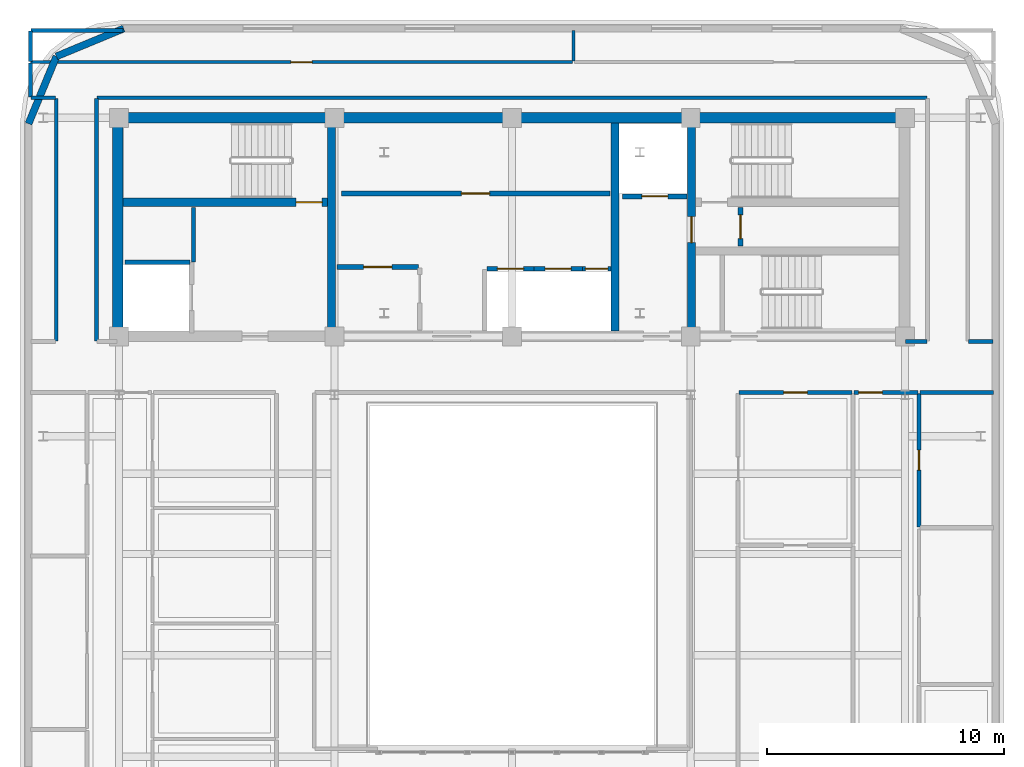
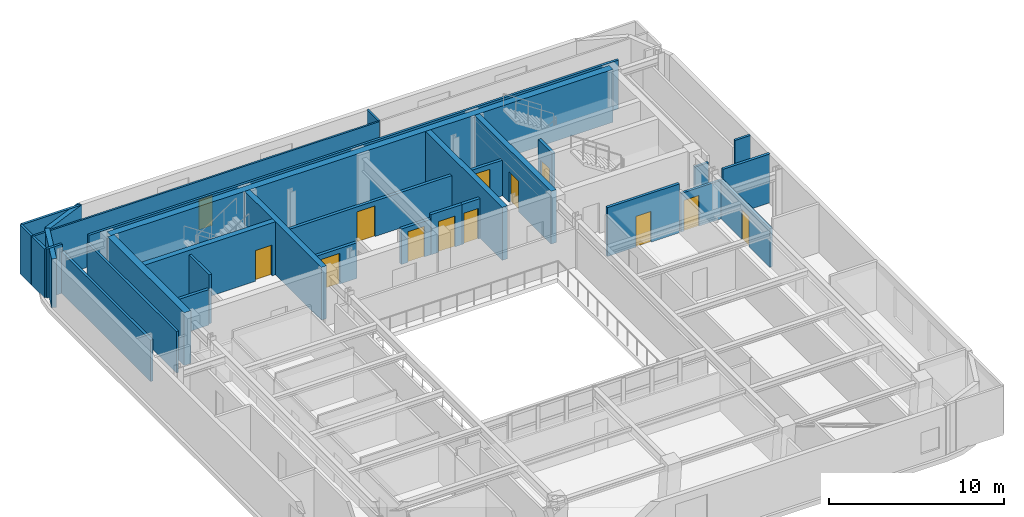
# One storey, part 8 of 12: 32 walls, 13 doors, 13 openings.
"""IFC4 building model written with IfcOpenShell, lengths in metres."""

from ifc_helpers import new_model, si_unit, direction, frame, frame_2d, origin, place, context, subcontext, project, spatial, rectangle, extrude, material, layer, layer_set, type_object, element, fill, save


model = new_model("IFC4")

# Units and contexts
model_context = context("Model", 3, precision=1e-05, world=origin(), true_north=direction((0.0, 1.0)))
body_context = subcontext(model_context, "Body", "Model", "MODEL_VIEW")
ifc_project = project(units=[si_unit("LENGTHUNIT", "METRE"), si_unit("AREAUNIT", "SQUARE_METRE"), si_unit("VOLUMEUNIT", "CUBIC_METRE"), si_unit("PLANEANGLEUNIT", "RADIAN"), si_unit("MASSUNIT", "GRAM", prefix="KILO")], contexts=[model_context])

# Site, building, storey
site_placement = place(None, origin())
site = spatial("IfcSite", under=ifc_project, at=site_placement, CompositionType="ELEMENT")
building_placement = place(site_placement, origin())
building = spatial("IfcBuilding", under=site, at=building_placement, Name="Zarnavel Station Tower", CompositionType="ELEMENT")
storey_placement = place(building_placement, frame((0.0, 0.0, 269.5)))
storey = spatial("IfcBuildingStorey", under=building, at=storey_placement, Name="L73", CompositionType="ELEMENT", Elevation=269.5)

# Walls
ifc_material_1 = material(Name="Concrete C50/60", Category="concrete")
ifc_layer_1 = layer(ifc_material_1, 0.35009765625)
ifc_layer_set_1 = layer_set([ifc_layer_1], Name="CW_350")
wall_type_1 = type_object("IfcWallType", Name="CW_350", PredefinedType="SHEAR", material=ifc_layer_set_1)
for number, where, z_axis, x_axis, name in (
    (1, (21.179931640625, 28.044921875, 0.0), (0.0, 0.0, 1.0), (0.0, 1.0, 0.0), "L73 Rear Core Shear Wall DIV-W"),
    (2, (33.14990234375, 28.044921875, 0.0), (0.0, 0.0, 1.0), (0.0, 1.0, 0.0), "L73 Rear Core Shear Wall DIV-E"),
):
    element("IfcWall", number, at=place(storey_placement, frame(where, z_axis=z_axis, x_axis=x_axis)), inside=storey, type_object=wall_type_1, Name=name, PredefinedType="SHEAR", context=body_context, shape_type="SweptSolid", body=[
        extrude(rectangle(XDim=8.780029296875, YDim=0.35009765625, at=frame_2d((4.39013671875, 0.0))), origin(), (0.0, 0.0, 1.0), 3.699951171875),
    ])

# Wall, opening, door
wall_1_placement = place(storey_placement, frame((36.3798828125, 28.044921875, 0.0), z_axis=(0.0, 0.0, 1.0), x_axis=(0.0, 1.0, 0.0)))
wall_1 = element("IfcWall", 3, at=wall_1_placement, inside=storey, type_object=wall_type_1, Name="L73 Rear Core Shear Wall DIV-S2", PredefinedType="SHEAR", context=body_context, shape_type="SweptSolid", body=[
    extrude(rectangle(XDim=8.780029296875, YDim=0.35009765625, at=frame_2d((4.39013671875, 0.0))), origin(), (0.0, 0.0, 1.0), 3.699951171875),
])
opening_1_placement = place(wall_1_placement, frame((3.735107421875, 0.0, 0.0)))
opening_1 = element("IfcOpeningElement", 4, at=opening_1_placement, cuts=wall_1, Name="Opening FD01", PredefinedType="OPENING", context=body_context, shape_type="SweptSolid", body=[
    extrude(rectangle(XDim=1.10009765625, YDim=2.14990234375, at=frame_2d((0.550048828125, 1.074951171875))), frame((0.0, 0.18505859375, 0.0), z_axis=(0.0, -1.0, 0.0), x_axis=(1.0, 0.0, 0.0)), (0.0, 0.0, 1.0), 0.3701171875),
])
ifc_material_2 = material(Name="Painted Galvanised Steel and Hardwood Leaf", Category="steel")
door_type_1 = type_object("IfcDoorType", Name="ID_STAIR_1100", OperationType="NOTDEFINED", PredefinedType="DOOR", material=ifc_material_2)
door_1_placement = place(opening_1_placement, origin())
door_1 = element("IfcDoor", 5, at=door_1_placement, inside=storey, type_object=door_type_1, Name="L73 East Stair Vestibule Fire Door", OperationType="SINGLE_SWING_LEFT", OverallHeight=2.14990234375, OverallWidth=1.10009765625, PredefinedType="DOOR", context=body_context, shape_type="SweptSolid", body=[
    extrude(rectangle(XDim=1.10009765625, YDim=2.14990234375, at=frame_2d((0.550048828125, 1.074951171875))), frame((0.0, 0.02490234375, 0.0), z_axis=(0.0, -1.0, 0.0), x_axis=(1.0, 0.0, 0.0)), (0.0, 0.0, 1.0), 0.050048828125),
])
fill(opening_1, door_1)

wall_2_placement = place(storey_placement, frame((21.0048828125, 33.47998046875, 0.0), z_axis=(0.0, 0.0, 1.0), x_axis=(-1.0, 0.0, 0.0)))
wall_2 = element("IfcWall", 6, at=wall_2_placement, inside=storey, type_object=wall_type_1, Name="L73 Rear Core Shear Wall DIV-H1", PredefinedType="SHEAR", context=body_context, shape_type="SweptSolid", body=[
    extrude(rectangle(XDim=8.6298828125, YDim=0.35009765625, at=frame_2d((4.31494140625, 0.0))), origin(), (0.0, 0.0, 1.0), 3.699951171875),
])
opening_2_placement = place(wall_2_placement, frame((0.219970703125, 0.0, 0.0)))
opening_2 = element("IfcOpeningElement", 7, at=opening_2_placement, cuts=wall_2, Name="Opening FD01", PredefinedType="OPENING", context=body_context, shape_type="SweptSolid", body=[
    extrude(rectangle(XDim=1.10009765625, YDim=2.14990234375, at=frame_2d((0.550048828125, 1.074951171875))), frame((0.0, 0.18505859375, 0.0), z_axis=(0.0, -1.0, 0.0), x_axis=(1.0, 0.0, 0.0)), (0.0, 0.0, 1.0), 0.3701171875),
])
door_2_placement = place(opening_2_placement, origin())
door_2 = element("IfcDoor", 8, at=door_2_placement, inside=storey, type_object=door_type_1, Name="L73 Stair ST1 Lobby Fire Door", OperationType="SINGLE_SWING_LEFT", OverallHeight=2.14990234375, OverallWidth=1.10009765625, PredefinedType="DOOR", context=body_context, shape_type="SweptSolid", body=[
    extrude(rectangle(XDim=1.10009765625, YDim=2.14990234375, at=frame_2d((0.550048828125, 1.074951171875))), frame((0.0, 0.02490234375, 0.0), z_axis=(0.0, -1.0, 0.0), x_axis=(1.0, 0.0, 0.0)), (0.0, 0.0, 1.0), 0.050048828125),
])
fill(opening_2, door_2)

# Walls
ifc_material_3 = material(Name="Concrete C50/60", Category="concrete")
ifc_layer_2 = layer(ifc_material_3, 0.449951171875)
ifc_layer_set_2 = layer_set([ifc_layer_2], Name="CW_450")
wall_type_2 = type_object("IfcWallType", Name="CW_450", PredefinedType="SHEAR", material=ifc_layer_set_2)
wall_3_placement = place(storey_placement, frame((12.14990234375, 37.050048828125, 0.0), z_axis=(0.0, 0.0, 1.0), x_axis=(1.0, 0.0, 0.0)))
element("IfcWall", 9, at=wall_3_placement, inside=storey, type_object=wall_type_2, Name="L73 Rear Core Shear Wall N", PredefinedType="SHEAR", context=body_context, shape_type="SweptSolid", body=[
    extrude(rectangle(XDim=33.22998046875, YDim=0.449951171875, at=frame_2d((16.614990234375, 0.0))), origin(), (0.0, 0.0, 1.0), 3.699951171875),
])
wall_4_placement = place(storey_placement, frame((12.14990234375, 28.044921875, 0.0), z_axis=(0.0, 0.0, 1.0), x_axis=(0.0, 1.0, 0.0)))
element("IfcWall", 10, at=wall_4_placement, inside=storey, type_object=wall_type_2, Name="L73 Rear Core Shear Wall W", PredefinedType="SHEAR", context=body_context, shape_type="SweptSolid", body=[
    extrude(rectangle(XDim=8.780029296875, YDim=0.449951171875, at=frame_2d((4.39013671875, 0.0))), origin(), (0.0, 0.0, 1.0), 3.699951171875),
])
ifc_material_4 = material(Name="Precast concrete C45/55 (Dark Basalt Finish)", Category="masonry")
ifc_layer_3 = layer(ifc_material_4, 0.300048828125)
ifc_layer_set_3 = layer_set([ifc_layer_3], Name="EW_BASALT_300")
wall_type_3 = type_object("IfcWallType", Name="EW_BASALT_300", PredefinedType="SOLIDWALL", material=ifc_layer_set_3)
for number, where, z_axis, x_axis, name in (
    (11, (9.557373046875, 39.642578125, 0.0), (0.0, 0.0, 1.0), (0.923870793506, 0.382704529509, 0.0), "L73 Exterior Basalt Masonry Frame Wall 07"),
    (12, (8.3798828125, 36.800048828125, 0.0), (0.0, 0.0, 1.0), (0.382704529509, 0.923870793506, 0.0), "L73 Exterior Basalt Masonry Frame Wall 08"),
):
    element("IfcWall", number, at=place(storey_placement, frame(where, z_axis=z_axis, x_axis=x_axis)), inside=storey, type_object=wall_type_3, Name=name, PredefinedType="SOLIDWALL", context=body_context, shape_type="SweptSolid", body=[
        extrude(rectangle(XDim=3.07666015625, YDim=0.300048828125, at=frame_2d((1.538330078125, 0.0))), origin(), (0.0, 0.0, 1.0), 3.419921875),
    ])

# Wall, opening, door
ifc_material_5 = material(Name="Gypsum Twin-Stud Acoustic Fire Partition", Category="concrete")
ifc_layer_4 = layer(ifc_material_5, 0.159912109375)
ifc_layer_set_4 = layer_set([ifc_layer_4], Name="PT_DEMISE_160")
wall_type_4 = type_object("IfcWallType", Name="PT_DEMISE_160", PredefinedType="PARTITIONING", material=ifc_layer_set_4)
wall_5_placement = place(storey_placement, frame((43.239990234375, 25.449951171875, 0.0), z_axis=(0.0, 0.0, 1.0), x_axis=(1.0, 0.0, 0.0)))
wall_5 = element("IfcWall", 13, at=wall_5_placement, inside=storey, type_object=wall_type_4, Name="L73 Partition COR-S-UE1LV", PredefinedType="PARTITIONING", context=body_context, shape_type="SweptSolid", body=[
    extrude(rectangle(XDim=2.7119140625, YDim=0.159912109375, at=frame_2d((1.35595703125, 0.0))), origin(), (0.0, 0.0, 1.0), 2.699951171875),
])
opening_3_placement = place(wall_5_placement, frame((0.19970703125, 0.0, 0.0)))
opening_3 = element("IfcOpeningElement", 14, at=opening_3_placement, cuts=wall_5, Name="Opening FD02", PredefinedType="OPENING", context=body_context, shape_type="SweptSolid", body=[
    extrude(rectangle(XDim=1.0, YDim=2.14990234375, at=frame_2d((0.5, 1.074951171875))), frame((0.0, 0.08984375, 0.0), z_axis=(0.0, -1.0, 0.0), x_axis=(1.0, 0.0, 0.0)), (0.0, 0.0, 1.0), 0.179931640625),
])
ifc_material_6 = material(Name="Painted Galvanised Steel and Hardwood Leaf", Category="steel")
door_type_2 = type_object("IfcDoorType", Name="ID_ENTRY_1000", OperationType="NOTDEFINED", PredefinedType="DOOR", material=ifc_material_6)
door_3_placement = place(opening_3_placement, origin())
door_3 = element("IfcDoor", 15, at=door_3_placement, inside=storey, type_object=door_type_2, Name="L73 Door COR-S-UE1LV", OperationType="SINGLE_SWING_LEFT", OverallHeight=2.14990234375, OverallWidth=1.0, PredefinedType="DOOR", context=body_context, shape_type="SweptSolid", body=[
    extrude(rectangle(XDim=1.0, YDim=2.14990234375, at=frame_2d((0.5, 1.074951171875))), frame((0.0, 0.02490234375, 0.0), z_axis=(0.0, -1.0, 0.0), x_axis=(1.0, 0.0, 0.0)), (0.0, 0.0, 1.0), 0.050048828125),
])
fill(opening_3, door_3)

# Walls
wall_6_placement = place(storey_placement, frame((15.35009765625, 30.9599609375, 0.0), z_axis=(0.0, 0.0, 1.0), x_axis=(0.0, 1.0, 0.0)))
element("IfcWall", 16, at=wall_6_placement, inside=storey, type_object=wall_type_4, Name="L73 Enclosure Wall FFL1", PredefinedType="PARTITIONING", context=body_context, shape_type="SweptSolid", body=[
    extrude(rectangle(XDim=2.31005859375, YDim=0.159912109375, at=frame_2d((1.155029296875, 0.0))), origin(), (0.0, 0.0, 1.0), 3.419921875),
])
wall_7_placement = place(storey_placement, frame((45.409912109375, 27.60009765625, 0.0), z_axis=(0.0, 0.0, 1.0), x_axis=(1.0, 0.0, 0.0)))
element("IfcWall", 17, at=wall_7_placement, inside=storey, type_object=wall_type_4, Name="L73 Enclosure Wall COR-S", PredefinedType="PARTITIONING", context=body_context, shape_type="SweptSolid", body=[
    extrude(rectangle(XDim=0.91015625, YDim=0.159912109375, at=frame_2d((0.455078125, 0.0))), origin(), (0.0, 0.0, 1.0), 2.489990234375),
])
wall_8_placement = place(storey_placement, frame((48.080078125, 27.60009765625, 0.0), z_axis=(0.0, 0.0, 1.0), x_axis=(1.0, 0.0, 0.0)))
element("IfcWall", 18, at=wall_8_placement, inside=storey, type_object=wall_type_4, Name="L73 Enclosure Wall COR-S", PredefinedType="PARTITIONING", context=body_context, shape_type="SweptSolid", body=[
    extrude(rectangle(XDim=1.030029296875, YDim=0.159912109375, at=frame_2d((0.51513671875, 0.0))), origin(), (0.0, 0.0, 1.0), 3.419921875),
])
for number, where, z_axis, x_axis, name in (
    (19, (9.550048828125, 27.6298828125, 0.0), (0.0, 0.0, 1.0), (0.0, 1.0, 0.0), "L73 Enclosure Wall COR-W"),
    (20, (11.25, 27.6298828125, 0.0), (0.0, 0.0, 1.0), (0.0, 1.0, 0.0), "L73 Enclosure Wall COR-W"),
):
    element("IfcWall", number, at=place(storey_placement, frame(where, z_axis=z_axis, x_axis=x_axis)), inside=storey, type_object=wall_type_4, Name=name, PredefinedType="PARTITIONING", context=body_context, shape_type="SweptSolid", body=[
        extrude(rectangle(XDim=10.240234375, YDim=0.159912109375, at=frame_2d((5.1201171875, 0.0))), origin(), (0.0, 0.0, 1.0), 2.89990234375),
    ])
wall_9_placement = place(storey_placement, frame((8.489990234375, 37.89990234375, 0.0), z_axis=(0.0, 0.0, 1.0), x_axis=(1.0, 0.0, 0.0)))
element("IfcWall", 21, at=wall_9_placement, inside=storey, type_object=wall_type_4, Name="L73 Enclosure Wall COR-N", PredefinedType="PARTITIONING", context=body_context, shape_type="SweptSolid", body=[
    extrude(rectangle(XDim=1.030029296875, YDim=0.159912109375, at=frame_2d((0.51513671875, 0.0))), origin(), (0.0, 0.0, 1.0), 3.419921875),
])
wall_10_placement = place(storey_placement, frame((11.280029296875, 37.89990234375, 0.0), z_axis=(0.0, 0.0, 1.0), x_axis=(1.0, 0.0, 0.0)))
element("IfcWall", 22, at=wall_10_placement, inside=storey, type_object=wall_type_4, Name="L73 Enclosure Wall COR-N", PredefinedType="PARTITIONING", context=body_context, shape_type="SweptSolid", body=[
    extrude(rectangle(XDim=35.0400390625, YDim=0.159912109375, at=frame_2d((17.52001953125, 0.0))), origin(), (0.0, 0.0, 1.0), 3.419921875),
])
wall_11_placement = place(storey_placement, frame((8.4599609375, 37.929931640625, 0.0), z_axis=(0.0, 0.0, 1.0), x_axis=(0.0, 1.0, 0.0)))
element("IfcWall", 23, at=wall_11_placement, inside=storey, type_object=wall_type_4, Name="L73 Enclosure Wall COR-N", PredefinedType="PARTITIONING", context=body_context, shape_type="SweptSolid", body=[
    extrude(rectangle(XDim=1.440185546875, YDim=0.159912109375, at=frame_2d((0.72021484375, 0.0))), origin(), (0.0, 0.0, 1.0), 3.419921875),
])
wall_12_placement = place(storey_placement, frame((8.489990234375, 40.739990234375, 0.0), z_axis=(0.0, 0.0, 1.0), x_axis=(1.0, 0.0, 0.0)))
element("IfcWall", 24, at=wall_12_placement, inside=storey, type_object=wall_type_4, Name="L73 Enclosure Wall NGYM", PredefinedType="PARTITIONING", context=body_context, shape_type="SweptSolid", body=[
    extrude(rectangle(XDim=3.880126953125, YDim=0.159912109375, at=frame_2d((1.93994140625, 0.0))), origin(), (0.0, 0.0, 1.0), 3.419921875),
])
wall_13_placement = place(storey_placement, frame((8.4599609375, 39.429931640625, 0.0), z_axis=(0.0, 0.0, 1.0), x_axis=(0.0, 1.0, 0.0)))
element("IfcWall", 25, at=wall_13_placement, inside=storey, type_object=wall_type_4, Name="L73 Enclosure Wall NGYM", PredefinedType="PARTITIONING", context=body_context, shape_type="SweptSolid", body=[
    extrude(rectangle(XDim=1.280029296875, YDim=0.159912109375, at=frame_2d((0.64013671875, 0.0))), origin(), (0.0, 0.0, 1.0), 3.419921875),
])

# Wall, opening, door
ifc_material_7 = material(Name="Gypsum Metal-Stud Interior Partition", Category="concrete")
ifc_layer_5 = layer(ifc_material_7, 0.1201171875)
ifc_layer_set_5 = layer_set([ifc_layer_5], Name="PT_ROOM_120")
wall_type_5 = type_object("IfcWallType", Name="PT_ROOM_120", PredefinedType="PARTITIONING", material=ifc_layer_set_5)
wall_14_placement = place(storey_placement, frame((8.4599609375, 39.39990234375, 0.0), z_axis=(0.0, 0.0, 1.0), x_axis=(1.0, 0.0, 0.0)))
wall_14 = element("IfcWall", 26, at=wall_14_placement, inside=storey, type_object=wall_type_5, Name="L73 Partition COR-N-NGYM", PredefinedType="PARTITIONING", context=body_context, shape_type="SweptSolid", body=[
    extrude(rectangle(XDim=22.900146484375, YDim=0.1201171875, at=frame_2d((11.4501953125, 0.0))), origin(), (0.0, 0.0, 1.0), 3.419921875),
])
opening_4_placement = place(wall_14_placement, frame((11.0, 0.0, 0.0)))
opening_4 = element("IfcOpeningElement", 27, at=opening_4_placement, cuts=wall_14, Name="Opening ID01", PredefinedType="OPENING", context=body_context, shape_type="SweptSolid", body=[
    extrude(rectangle(XDim=0.89990234375, YDim=2.10009765625, at=frame_2d((0.449951171875, 1.050048828125))), frame((0.0, 0.070068359375, 0.0), z_axis=(0.0, -1.0, 0.0), x_axis=(1.0, 0.0, 0.0)), (0.0, 0.0, 1.0), 0.14013671875),
])
ifc_material_8 = material(Name="Painted Galvanised Steel and Hardwood Leaf", Category="steel")
door_type_3 = type_object("IfcDoorType", Name="ID_ROOM_900", OperationType="NOTDEFINED", PredefinedType="DOOR", material=ifc_material_8)
door_4_placement = place(opening_4_placement, origin())
door_4 = element("IfcDoor", 28, at=door_4_placement, inside=storey, type_object=door_type_3, Name="L73 Door COR-N-NGYM", OperationType="SINGLE_SWING_RIGHT", OverallHeight=2.10009765625, OverallWidth=0.89990234375, PredefinedType="DOOR", context=body_context, shape_type="SweptSolid", body=[
    extrude(rectangle(XDim=0.89990234375, YDim=2.10009765625, at=frame_2d((0.449951171875, 1.050048828125))), frame((0.0, 0.02490234375, 0.0), z_axis=(0.0, -1.0, 0.0), x_axis=(1.0, 0.0, 0.0)), (0.0, 0.0, 1.0), 0.050048828125),
])
fill(opening_4, door_4)

# Walls
wall_15_placement = place(storey_placement, frame((31.39990234375, 39.43994140625, 0.0), z_axis=(0.0, 0.0, 1.0), x_axis=(0.0, 1.0, 0.0)))
element("IfcWall", 29, at=wall_15_placement, inside=storey, type_object=wall_type_5, Name="L73 Partition NGYM-NBRD", PredefinedType="PARTITIONING", context=body_context, shape_type="SweptSolid", body=[
    extrude(rectangle(XDim=1.300048828125, YDim=0.1201171875, at=frame_2d((0.64990234375, 0.0))), origin(), (0.0, 0.0, 1.0), 3.419921875),
])
ifc_material_9 = material(Name="Precast concrete C45/55 (Fire Shaft Blockwork)", Category="masonry")
ifc_layer_6 = layer(ifc_material_9, 0.199951171875)
ifc_layer_set_6 = layer_set([ifc_layer_6], Name="PT_SHAFT_200")
wall_type_6 = type_object("IfcWallType", Name="PT_SHAFT_200", PredefinedType="PARTITIONING", material=ifc_layer_set_6)
wall_16_placement = place(storey_placement, frame((12.449951171875, 30.949951171875, 0.0), z_axis=(0.0, 0.0, 1.0), x_axis=(1.0, 0.0, 0.0)))
element("IfcWall", 30, at=wall_16_placement, inside=storey, type_object=wall_type_6, Name="L73 Lift FFL-01 North Shaft Wall", PredefinedType="PARTITIONING", context=body_context, shape_type="SweptSolid", body=[
    extrude(rectangle(XDim=2.75, YDim=0.199951171875, at=frame_2d((1.375, 0.0))), origin(), (0.0, 0.0, 1.0), 2.489990234375),
])

# Wall, opening, door
wall_17_placement = place(storey_placement, frame((33.47509765625, 33.72998046875, 0.0), z_axis=(0.0, 0.0, 1.0), x_axis=(1.0, 0.0, 0.0)))
wall_17 = element("IfcWall", 31, at=wall_17_placement, inside=storey, type_object=wall_type_6, Name="L73 Lift FFL-02 Shaft Front Wall", PredefinedType="PARTITIONING", context=body_context, shape_type="SweptSolid", body=[
    extrude(rectangle(XDim=2.724853515625, YDim=0.199951171875, at=frame_2d((1.3623046875, 0.0))), origin(), (0.0, 0.0, 1.0), 2.489990234375),
])
opening_5_placement = place(wall_17_placement, frame((0.8125, 0.0, 0.0)))
opening_5 = element("IfcOpeningElement", 32, at=opening_5_placement, cuts=wall_17, Name="Opening LD01", PredefinedType="OPENING", context=body_context, shape_type="SweptSolid", body=[
    extrude(rectangle(XDim=1.10009765625, YDim=2.14990234375, at=frame_2d((0.550048828125, 1.074951171875))), frame((0.0, 0.10986328125, 0.0), z_axis=(0.0, -1.0, 0.0), x_axis=(1.0, 0.0, 0.0)), (0.0, 0.0, 1.0), 0.219970703125),
])
ifc_material_10 = material(Name="Painted Galvanised Steel and Hardwood Leaf", Category="steel")
door_type_4 = type_object("IfcDoorType", Name="LD_FF_1100", OperationType="DOUBLE_DOOR_SLIDING", PredefinedType="DOOR", material=ifc_material_10)
door_5_placement = place(opening_5_placement, origin())
door_5 = element("IfcDoor", 33, at=door_5_placement, inside=storey, type_object=door_type_4, Name="L73 Lift FFL-02 Sliding Landing Door", OperationType="DOUBLE_DOOR_SLIDING", OverallHeight=2.14990234375, OverallWidth=1.10009765625, PredefinedType="DOOR", context=body_context, shape_type="SweptSolid", body=[
    extrude(rectangle(XDim=1.10009765625, YDim=2.14990234375, at=frame_2d((0.550048828125, 1.074951171875))), frame((0.0, 0.02490234375, 0.0), z_axis=(0.0, -1.0, 0.0), x_axis=(1.0, 0.0, 0.0)), (0.0, 0.0, 1.0), 0.050048828125),
])
fill(opening_5, door_5)

wall_18_placement = place(storey_placement, frame((27.75, 30.669921875, 0.0), z_axis=(0.0, 0.0, 1.0), x_axis=(1.0, 0.0, 0.0)))
wall_18 = element("IfcWall", 34, at=wall_18_placement, inside=storey, type_object=wall_type_6, Name="L73 Lift PL-H1 Shaft Front Wall", PredefinedType="PARTITIONING", context=body_context, shape_type="SweptSolid", body=[
    extrude(rectangle(XDim=1.97509765625, YDim=0.199951171875, at=frame_2d((0.987548828125, 0.0))), origin(), (0.0, 0.0, 1.0), 2.489990234375),
])
opening_6_placement = place(wall_18_placement, frame((0.4375, 0.0, 0.0)))
opening_6 = element("IfcOpeningElement", 35, at=opening_6_placement, cuts=wall_18, Name="Opening LD02", PredefinedType="OPENING", context=body_context, shape_type="SweptSolid", body=[
    extrude(rectangle(XDim=1.10009765625, YDim=2.14990234375, at=frame_2d((0.550048828125, 1.074951171875))), frame((0.0, 0.10986328125, 0.0), z_axis=(0.0, -1.0, 0.0), x_axis=(1.0, 0.0, 0.0)), (0.0, 0.0, 1.0), 0.219970703125),
])
ifc_material_11 = material(Name="Painted Galvanised Steel and Hardwood Leaf", Category="steel")
door_type_5 = type_object("IfcDoorType", Name="LD_PAX_1100", OperationType="DOUBLE_DOOR_SLIDING", PredefinedType="DOOR", material=ifc_material_11)
door_6_placement = place(opening_6_placement, origin())
door_6 = element("IfcDoor", 36, at=door_6_placement, inside=storey, type_object=door_type_5, Name="L73 Lift PL-H1 Sliding Landing Door", OperationType="DOUBLE_DOOR_SLIDING", OverallHeight=2.14990234375, OverallWidth=1.10009765625, PredefinedType="DOOR", context=body_context, shape_type="SweptSolid", body=[
    extrude(rectangle(XDim=1.10009765625, YDim=2.14990234375, at=frame_2d((0.550048828125, 1.074951171875))), frame((0.0, 0.02490234375, 0.0), z_axis=(0.0, -1.0, 0.0), x_axis=(1.0, 0.0, 0.0)), (0.0, 0.0, 1.0), 0.050048828125),
])
fill(opening_6, door_6)

wall_19_placement = place(storey_placement, frame((29.72509765625, 30.669921875, 0.0), z_axis=(0.0, 0.0, 1.0), x_axis=(1.0, 0.0, 0.0)))
wall_19 = element("IfcWall", 37, at=wall_19_placement, inside=storey, type_object=wall_type_6, Name="L73 Lift PL-H2 Shaft Front Wall", PredefinedType="PARTITIONING", context=body_context, shape_type="SweptSolid", body=[
    extrude(rectangle(XDim=2.0498046875, YDim=0.199951171875, at=frame_2d((1.02490234375, 0.0))), origin(), (0.0, 0.0, 1.0), 2.800048828125),
])
opening_7_placement = place(wall_19_placement, frame((0.47509765625, 0.0, 0.0)))
opening_7 = element("IfcOpeningElement", 38, at=opening_7_placement, cuts=wall_19, Name="Opening LD02", PredefinedType="OPENING", context=body_context, shape_type="SweptSolid", body=[
    extrude(rectangle(XDim=1.10009765625, YDim=2.14990234375, at=frame_2d((0.550048828125, 1.074951171875))), frame((0.0, 0.10986328125, 0.0), z_axis=(0.0, -1.0, 0.0), x_axis=(1.0, 0.0, 0.0)), (0.0, 0.0, 1.0), 0.219970703125),
])
door_7_placement = place(opening_7_placement, origin())
door_7 = element("IfcDoor", 39, at=door_7_placement, inside=storey, type_object=door_type_5, Name="L73 Lift PL-H2 Sliding Landing Door", OperationType="DOUBLE_DOOR_SLIDING", OverallHeight=2.14990234375, OverallWidth=1.10009765625, PredefinedType="DOOR", context=body_context, shape_type="SweptSolid", body=[
    extrude(rectangle(XDim=1.10009765625, YDim=2.14990234375, at=frame_2d((0.550048828125, 1.074951171875))), frame((0.0, 0.02490234375, 0.0), z_axis=(0.0, -1.0, 0.0), x_axis=(1.0, 0.0, 0.0)), (0.0, 0.0, 1.0), 0.050048828125),
])
fill(opening_7, door_7)

wall_20_placement = place(storey_placement, frame((31.77490234375, 30.669921875, 0.0), z_axis=(0.0, 0.0, 1.0), x_axis=(1.0, 0.0, 0.0)))
wall_20 = element("IfcWall", 40, at=wall_20_placement, inside=storey, type_object=wall_type_6, Name="L73 Lift PL-H3 Shaft Front Wall", PredefinedType="PARTITIONING", context=body_context, shape_type="SweptSolid", body=[
    extrude(rectangle(XDim=1.2001953125, YDim=0.199951171875, at=frame_2d((0.60009765625, 0.0))), origin(), (0.0, 0.0, 1.0), 2.800048828125),
])
opening_8_placement = place(wall_20_placement, frame((0.125, 0.0, 0.0)))
opening_8 = element("IfcOpeningElement", 41, at=opening_8_placement, cuts=wall_20, Name="Opening LD03", PredefinedType="OPENING", context=body_context, shape_type="SweptSolid", body=[
    extrude(rectangle(XDim=0.949951171875, YDim=2.14990234375, at=frame_2d((0.47509765625, 1.074951171875))), frame((0.0, 0.10986328125, 0.0), z_axis=(0.0, -1.0, 0.0), x_axis=(1.0, 0.0, 0.0)), (0.0, 0.0, 1.0), 0.219970703125),
])
ifc_material_12 = material(Name="Painted Galvanised Steel and Hardwood Leaf", Category="steel")
door_type_6 = type_object("IfcDoorType", Name="LD_PAX_0950", OperationType="DOUBLE_DOOR_SLIDING", PredefinedType="DOOR", material=ifc_material_12)
door_8_placement = place(opening_8_placement, origin())
door_8 = element("IfcDoor", 42, at=door_8_placement, inside=storey, type_object=door_type_6, Name="L73 Lift PL-H3 Sliding Landing Door", OperationType="DOUBLE_DOOR_SLIDING", OverallHeight=2.14990234375, OverallWidth=0.949951171875, PredefinedType="DOOR", context=body_context, shape_type="SweptSolid", body=[
    extrude(rectangle(XDim=0.949951171875, YDim=2.14990234375, at=frame_2d((0.47509765625, 1.074951171875))), frame((0.0, 0.02490234375, 0.0), z_axis=(0.0, -1.0, 0.0), x_axis=(1.0, 0.0, 0.0)), (0.0, 0.0, 1.0), 0.050048828125),
])
fill(opening_8, door_8)

wall_21_placement = place(storey_placement, frame((38.449951171875, 31.639892578125, 0.0), z_axis=(0.0, 0.0, 1.0), x_axis=(0.0, 1.0, 0.0)))
wall_21 = element("IfcWall", 43, at=wall_21_placement, inside=storey, type_object=wall_type_6, Name="L73 Partition ESTV-CEA", PredefinedType="PARTITIONING", context=body_context, shape_type="SweptSolid", body=[
    extrude(rectangle(XDim=1.6201171875, YDim=0.199951171875, at=frame_2d((0.81005859375, 0.0))), origin(), (0.0, 0.0, 1.0), 3.419921875),
])
opening_9_placement = place(wall_21_placement, frame((0.31005859375, 0.0, 0.0)))
opening_9 = element("IfcOpeningElement", 44, at=opening_9_placement, cuts=wall_21, Name="Opening FD02", PredefinedType="OPENING", context=body_context, shape_type="SweptSolid", body=[
    extrude(rectangle(XDim=1.0, YDim=2.14990234375, at=frame_2d((0.5, 1.074951171875))), frame((0.0, 0.10986328125, 0.0), z_axis=(0.0, -1.0, 0.0), x_axis=(1.0, 0.0, 0.0)), (0.0, 0.0, 1.0), 0.219970703125),
])
door_9_placement = place(opening_9_placement, origin())
door_9 = element("IfcDoor", 45, at=door_9_placement, inside=storey, type_object=door_type_2, Name="L73 Door ESTV-CEA", OperationType="SINGLE_SWING_LEFT", OverallHeight=2.14990234375, OverallWidth=1.0, PredefinedType="DOOR", context=body_context, shape_type="SweptSolid", body=[
    extrude(rectangle(XDim=1.0, YDim=2.14990234375, at=frame_2d((0.5, 1.074951171875))), frame((0.0, 0.02490234375, 0.0), z_axis=(0.0, -1.0, 0.0), x_axis=(1.0, 0.0, 0.0)), (0.0, 0.0, 1.0), 0.050048828125),
])
fill(opening_9, door_9)

wall_22_placement = place(storey_placement, frame((21.39990234375, 30.75, 0.0), z_axis=(0.0, 0.0, 1.0), x_axis=(1.0, 0.0, 0.0)))
wall_22 = element("IfcWall", 46, at=wall_22_placement, inside=storey, type_object=wall_type_6, Name="L73 Partition LLOB-CS1", PredefinedType="PARTITIONING", context=body_context, shape_type="SweptSolid", body=[
    extrude(rectangle(XDim=3.460205078125, YDim=0.199951171875, at=frame_2d((1.72998046875, 0.0))), origin(), (0.0, 0.0, 1.0), 2.489990234375),
])
opening_10_placement = place(wall_22_placement, frame((1.1298828125, 0.0, 0.0)))
opening_10 = element("IfcOpeningElement", 47, at=opening_10_placement, cuts=wall_22, Name="Opening FD03", PredefinedType="OPENING", context=body_context, shape_type="SweptSolid", body=[
    extrude(rectangle(XDim=1.199951171875, YDim=2.14990234375, at=frame_2d((0.60009765625, 1.074951171875))), frame((0.0, 0.10986328125, 0.0), z_axis=(0.0, -1.0, 0.0), x_axis=(1.0, 0.0, 0.0)), (0.0, 0.0, 1.0), 0.219970703125),
])
ifc_material_13 = material(Name="Painted Galvanised Steel and Hardwood Leaf", Category="steel")
door_type_7 = type_object("IfcDoorType", Name="ID_PLANT_1200", OperationType="NOTDEFINED", PredefinedType="DOOR", material=ifc_material_13)
door_10_placement = place(opening_10_placement, origin())
door_10 = element("IfcDoor", 48, at=door_10_placement, inside=storey, type_object=door_type_7, Name="L73 Door LLOB-CS1", OperationType="SINGLE_SWING_RIGHT", OverallHeight=2.14990234375, OverallWidth=1.199951171875, PredefinedType="DOOR", context=body_context, shape_type="SweptSolid", body=[
    extrude(rectangle(XDim=1.199951171875, YDim=2.14990234375, at=frame_2d((0.60009765625, 1.074951171875))), frame((0.0, 0.02490234375, 0.0), z_axis=(0.0, -1.0, 0.0), x_axis=(1.0, 0.0, 0.0)), (0.0, 0.0, 1.0), 0.050048828125),
])
fill(opening_10, door_10)

wall_23_placement = place(storey_placement, frame((21.590087890625, 33.85009765625, 0.0), z_axis=(0.0, 0.0, 1.0), x_axis=(1.0, 0.0, 0.0)))
wall_23 = element("IfcWall", 49, at=wall_23_placement, inside=storey, type_object=wall_type_6, Name="L73 Partition LLOB-FB2A", PredefinedType="PARTITIONING", context=body_context, shape_type="SweptSolid", body=[
    extrude(rectangle(XDim=11.33984375, YDim=0.199951171875, at=frame_2d((5.669921875, 0.0))), origin(), (0.0, 0.0, 1.0), 2.489990234375),
])
opening_11_placement = place(wall_23_placement, frame((5.070068359375, 0.0, 0.0)))
opening_11 = element("IfcOpeningElement", 50, at=opening_11_placement, cuts=wall_23, Name="Opening FD03", PredefinedType="OPENING", context=body_context, shape_type="SweptSolid", body=[
    extrude(rectangle(XDim=1.199951171875, YDim=2.14990234375, at=frame_2d((0.60009765625, 1.074951171875))), frame((0.0, 0.10986328125, 0.0), z_axis=(0.0, -1.0, 0.0), x_axis=(1.0, 0.0, 0.0)), (0.0, 0.0, 1.0), 0.219970703125),
])
door_11_placement = place(opening_11_placement, origin())
door_11 = element("IfcDoor", 51, at=door_11_placement, inside=storey, type_object=door_type_7, Name="L73 Door LLOB-FB2A", OperationType="SINGLE_SWING_LEFT", OverallHeight=2.14990234375, OverallWidth=1.199951171875, PredefinedType="DOOR", context=body_context, shape_type="SweptSolid", body=[
    extrude(rectangle(XDim=1.199951171875, YDim=2.14990234375, at=frame_2d((0.60009765625, 1.074951171875))), frame((0.0, 0.02490234375, 0.0), z_axis=(0.0, -1.0, 0.0), x_axis=(1.0, 0.0, 0.0)), (0.0, 0.0, 1.0), 0.050048828125),
])
fill(opening_11, door_11)

ifc_material_14 = material(Name="Moisture-Resistant Plumbing Chase Wall", Category="concrete")
ifc_layer_7 = layer(ifc_material_14, 0.179931640625)
ifc_layer_set_7 = layer_set([ifc_layer_7], Name="PW_PLUMB_180")
wall_type_7 = type_object("IfcWallType", Name="PW_PLUMB_180", PredefinedType="PLUMBINGWALL", material=ifc_layer_set_7)
wall_24_placement = place(storey_placement, frame((38.389892578125, 25.449951171875, 0.0), z_axis=(0.0, 0.0, 1.0), x_axis=(1.0, 0.0, 0.0)))
wall_24 = element("IfcWall", 52, at=wall_24_placement, inside=storey, type_object=wall_type_7, Name="L73 Partition COR-S-L73KIT", PredefinedType="PLUMBINGWALL", context=body_context, shape_type="SweptSolid", body=[
    extrude(rectangle(XDim=4.77001953125, YDim=0.179931640625, at=frame_2d((2.385009765625, 0.0))), origin(), (0.0, 0.0, 1.0), 3.419921875),
])
opening_12_placement = place(wall_24_placement, frame((1.885009765625, 0.0, 0.0)))
opening_12 = element("IfcOpeningElement", 53, at=opening_12_placement, cuts=wall_24, Name="Opening FD02", PredefinedType="OPENING", context=body_context, shape_type="SweptSolid", body=[
    extrude(rectangle(XDim=1.0, YDim=2.14990234375, at=frame_2d((0.5, 1.074951171875))), frame((0.0, 0.099853515625, 0.0), z_axis=(0.0, -1.0, 0.0), x_axis=(1.0, 0.0, 0.0)), (0.0, 0.0, 1.0), 0.199951171875),
])
door_12_placement = place(opening_12_placement, origin())
door_12 = element("IfcDoor", 54, at=door_12_placement, inside=storey, type_object=door_type_2, Name="L73 Door COR-S-L73KIT", OperationType="SINGLE_SWING_RIGHT", OverallHeight=2.14990234375, OverallWidth=1.0, PredefinedType="DOOR", context=body_context, shape_type="SweptSolid", body=[
    extrude(rectangle(XDim=1.0, YDim=2.14990234375, at=frame_2d((0.5, 1.074951171875))), frame((0.0, 0.02490234375, 0.0), z_axis=(0.0, -1.0, 0.0), x_axis=(1.0, 0.0, 0.0)), (0.0, 0.0, 1.0), 0.050048828125),
])
fill(opening_12, door_12)

# Wall
wall_25_placement = place(storey_placement, frame((46.031982421875, 25.449951171875, 0.0), z_axis=(0.0, 0.0, 1.0), x_axis=(1.0, 0.0, 0.0)))
element("IfcWall", 55, at=wall_25_placement, inside=storey, type_object=wall_type_7, Name="L73 Partition COR-S-UE1BA", PredefinedType="PLUMBINGWALL", context=body_context, shape_type="SweptSolid", body=[
    extrude(rectangle(XDim=3.10791015625, YDim=0.179931640625, at=frame_2d((1.553955078125, 0.0))), origin(), (0.0, 0.0, 1.0), 3.419921875),
])

# Wall, opening, door
wall_26_placement = place(storey_placement, frame((45.991943359375, 19.77197265625, 0.0), z_axis=(0.0, 0.0, 1.0), x_axis=(0.0, 1.0, 0.0)))
wall_26 = element("IfcWall", 56, at=wall_26_placement, inside=storey, type_object=wall_type_7, Name="L73 Partition UE1LV-UE1BA", PredefinedType="PLUMBINGWALL", context=body_context, shape_type="SweptSolid", body=[
    extrude(rectangle(XDim=5.637939453125, YDim=0.179931640625, at=frame_2d((2.81884765625, 0.0))), origin(), (0.0, 0.0, 1.0), 2.699951171875),
])
opening_13_placement = place(wall_26_placement, frame((2.39404296875, 0.0, 0.0)))
opening_13 = element("IfcOpeningElement", 57, at=opening_13_placement, cuts=wall_26, Name="Opening ID02", PredefinedType="OPENING", context=body_context, shape_type="SweptSolid", body=[
    extrude(rectangle(XDim=0.85009765625, YDim=2.10009765625, at=frame_2d((0.425048828125, 1.050048828125))), frame((0.0, 0.099853515625, 0.0), z_axis=(0.0, -1.0, 0.0), x_axis=(1.0, 0.0, 0.0)), (0.0, 0.0, 1.0), 0.199951171875),
])
ifc_material_15 = material(Name="Painted Galvanised Steel and Hardwood Leaf", Category="steel")
door_type_8 = type_object("IfcDoorType", Name="ID_BATH_850", OperationType="NOTDEFINED", PredefinedType="DOOR", material=ifc_material_15)
door_13_placement = place(opening_13_placement, origin())
door_13 = element("IfcDoor", 58, at=door_13_placement, inside=storey, type_object=door_type_8, Name="L73 Door UE1LV-UE1BA", OperationType="SINGLE_SWING_RIGHT", OverallHeight=2.10009765625, OverallWidth=0.85009765625, PredefinedType="DOOR", context=body_context, shape_type="SweptSolid", body=[
    extrude(rectangle(XDim=0.85009765625, YDim=2.10009765625, at=frame_2d((0.425048828125, 1.050048828125))), frame((0.0, 0.02490234375, 0.0), z_axis=(0.0, -1.0, 0.0), x_axis=(1.0, 0.0, 0.0)), (0.0, 0.0, 1.0), 0.050048828125),
])
fill(opening_13, door_13)

save(model, "model.ifc")
